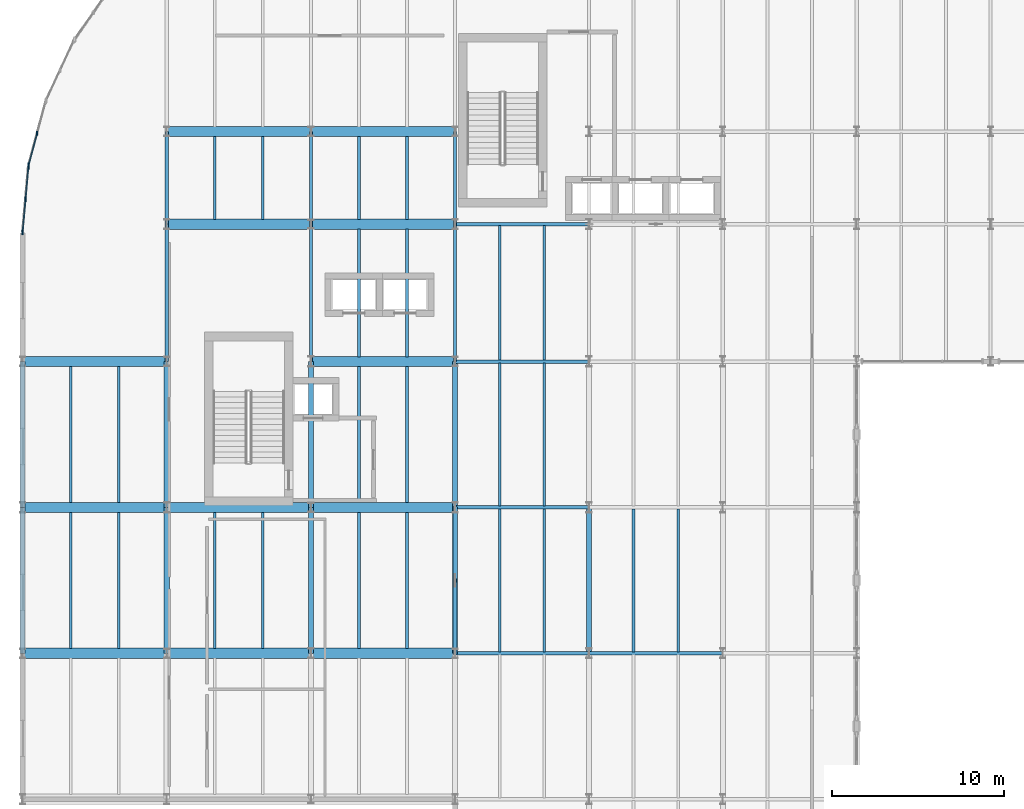
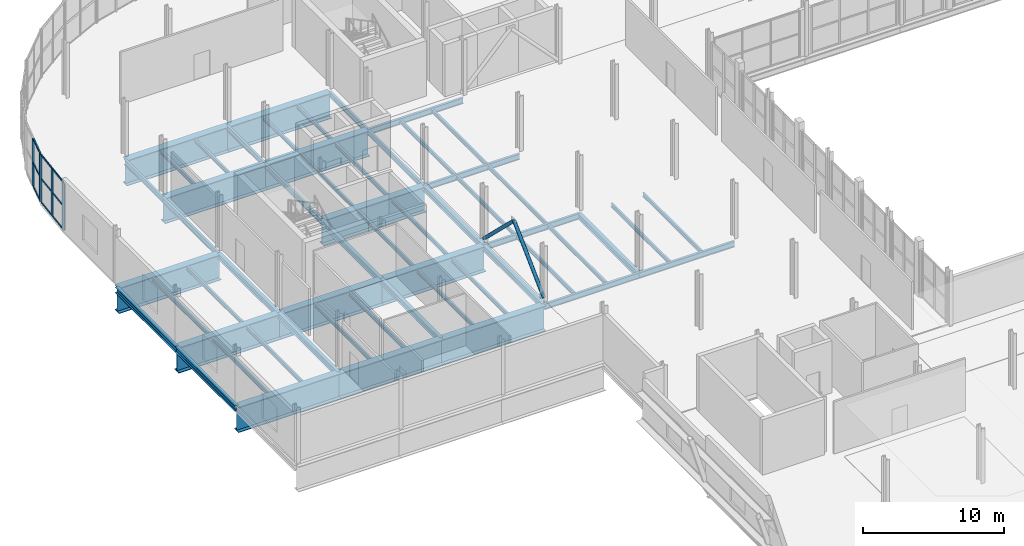
# One storey, part 23 of 63: 56 beams, 16 members, 2 elements without a shape of their own.
"""IFC4 building model written with IfcOpenShell, lengths in metres."""

from ifc_helpers import new_model, si_unit, direction, frame, origin, origin_2d, place, context, subcontext, project, spatial, rectangle, hollow_circle, i_section, extrude, material, layer, layer_set, material_profile, profile_set, type_object, element, aggregate, save


model = new_model("IFC4")

# Units and contexts
model_context = context("Model", 3, precision=1e-05, world=origin(), true_north=direction((0.0, 1.0)))
body_context = subcontext(model_context, "Body", "Model", "MODEL_VIEW")
ifc_project = project(units=[si_unit("LENGTHUNIT", "METRE"), si_unit("AREAUNIT", "SQUARE_METRE"), si_unit("VOLUMEUNIT", "CUBIC_METRE"), si_unit("PLANEANGLEUNIT", "RADIAN"), si_unit("MASSUNIT", "GRAM", prefix="KILO")], contexts=[model_context])

# Site, building, storey
site_placement = place(None, origin())
site = spatial("IfcSite", under=ifc_project, at=site_placement, CompositionType="ELEMENT")
building_placement = place(site_placement, origin())
building = spatial("IfcBuilding", under=site, at=building_placement, Name="Sefraquen Railside Congress Hotel", CompositionType="ELEMENT")
storey_placement = place(building_placement, frame((0.0, 0.0, 11.39990234375)))
storey = spatial("IfcBuildingStorey", under=building, at=storey_placement, Name="L02", CompositionType="ELEMENT", Elevation=11.39990234375)

# Beams
ifc_material_1 = material(Name="Steel S355JR", Category="steel")
ifc_material_profile_1 = material_profile(ifc_material_1, i_section(OverallWidth=0.18994140625, OverallDepth=0.449951171875, WebThickness=0.009521484375, FlangeThickness=0.0146484375, FilletRadius=0.02099609375, at=origin_2d()), Name="IPE 450")
ifc_profile_set_1 = profile_set([ifc_material_profile_1], Name="Steel S355JR")
beam_type_1 = type_object("IfcBeamType", Name="TB-BM-450", PredefinedType="BEAM", material=ifc_profile_set_1)
beam_1_placement = place(storey_placement, frame((8.39990234375, 88.0, -0.574951171875), z_axis=(0.0, 1.0, 0.0), x_axis=(-1.0, 0.0, 0.0)))
element("IfcBeam", 1, at=beam_1_placement, inside=storey, type_object=beam_type_1, Name="Floor beam BM-L02-0839", PredefinedType="BEAM", context=body_context, shape_type="SweptSolid", body=[
    extrude(i_section(OverallWidth=0.18994140625, OverallDepth=0.449951171875, WebThickness=0.009521484375, FlangeThickness=0.0146484375, FilletRadius=0.02099609375, at=origin_2d()), origin(), (0.0, 0.0, 1.0), 8.0),
])
beam_2_placement = place(storey_placement, frame((8.39990234375, 96.0, -0.574951171875), z_axis=(0.0, 1.0, 0.0), x_axis=(-1.0, 0.0, 0.0)))
element("IfcBeam", 2, at=beam_2_placement, inside=storey, type_object=beam_type_1, Name="Floor beam BM-L02-0840", PredefinedType="BEAM", context=body_context, shape_type="SweptSolid", body=[
    extrude(i_section(OverallWidth=0.18994140625, OverallDepth=0.449951171875, WebThickness=0.009521484375, FlangeThickness=0.0146484375, FilletRadius=0.02099609375, at=origin_2d()), origin(), (0.0, 0.0, 1.0), 5.39990234375),
])
beam_3_placement = place(storey_placement, frame((16.800048828125, 88.0, -0.574951171875), z_axis=(0.0, 1.0, 0.0), x_axis=(-1.0, 0.0, 0.0)))
element("IfcBeam", 3, at=beam_3_placement, inside=storey, type_object=beam_type_1, Name="Floor beam BM-L02-0845", PredefinedType="BEAM", context=body_context, shape_type="SweptSolid", body=[
    extrude(i_section(OverallWidth=0.18994140625, OverallDepth=0.449951171875, WebThickness=0.009521484375, FlangeThickness=0.0146484375, FilletRadius=0.02099609375, at=origin_2d()), origin(), (0.0, 0.0, 1.0), 8.0),
])
beam_4_placement = place(storey_placement, frame((16.800048828125, 96.0, -0.574951171875), z_axis=(0.0, 1.0, 0.0), x_axis=(-1.0, 0.0, 0.0)))
element("IfcBeam", 4, at=beam_4_placement, inside=storey, type_object=beam_type_1, Name="Floor beam BM-L02-0846", PredefinedType="BEAM", context=body_context, shape_type="SweptSolid", body=[
    extrude(i_section(OverallWidth=0.18994140625, OverallDepth=0.449951171875, WebThickness=0.009521484375, FlangeThickness=0.0146484375, FilletRadius=0.02099609375, at=origin_2d()), origin(), (0.0, 0.0, 1.0), 5.39990234375),
])
beam_5_placement = place(storey_placement, frame((25.199951171875, 88.0, -0.574951171875), z_axis=(0.0, 1.0, 0.0), x_axis=(-1.0, 0.0, 0.0)))
element("IfcBeam", 5, at=beam_5_placement, inside=storey, type_object=beam_type_1, Name="Floor beam BM-L02-0852", PredefinedType="BEAM", context=body_context, shape_type="SweptSolid", body=[
    extrude(i_section(OverallWidth=0.18994140625, OverallDepth=0.449951171875, WebThickness=0.009521484375, FlangeThickness=0.0146484375, FilletRadius=0.02099609375, at=origin_2d()), origin(), (0.0, 0.0, 1.0), 8.0),
])
beam_6_placement = place(storey_placement, frame((25.199951171875, 96.0, -0.574951171875), z_axis=(0.0, 1.0, 0.0), x_axis=(-1.0, 0.0, 0.0)))
element("IfcBeam", 6, at=beam_6_placement, inside=storey, type_object=beam_type_1, Name="Floor beam BM-L02-0853", PredefinedType="BEAM", context=body_context, shape_type="SweptSolid", body=[
    extrude(i_section(OverallWidth=0.18994140625, OverallDepth=0.449951171875, WebThickness=0.009521484375, FlangeThickness=0.0146484375, FilletRadius=0.02099609375, at=origin_2d()), origin(), (0.0, 0.0, 1.0), 5.39990234375),
])
ifc_material_profile_2 = material_profile(ifc_material_1, i_section(OverallWidth=0.199951171875, OverallDepth=0.5, WebThickness=0.01025390625, FlangeThickness=0.01611328125, FilletRadius=0.02099609375, at=origin_2d()), Name="IPE 500")
ifc_profile_set_2 = profile_set([ifc_material_profile_2], Name="Steel S355JR")
beam_type_2 = type_object("IfcBeamType", Name="TB-BM-500", PredefinedType="BEAM", material=ifc_profile_set_2)
for number, where, z_axis, x_axis, name in (
    (7, (25.199951171875, 71.0, -0.599853515625), (1.0, 0.0, 0.0), (0.0, 1.0, 0.0), "Primary girder BM-L02-0745"),
    (8, (33.0, 71.0, -0.599853515625), (1.0, 0.0, 0.0), (0.0, 1.0, 0.0), "Primary girder BM-L02-0746"),
    (9, (25.199951171875, 79.5, -0.599853515625), (1.0, 0.0, 0.0), (0.0, 1.0, 0.0), "Primary girder BM-L02-0753"),
    (10, (25.199951171875, 88.0, -0.599853515625), (1.0, 0.0, 0.0), (0.0, 1.0, 0.0), "Primary girder BM-L02-0761"),
    (11, (25.199951171875, 96.0, -0.599853515625), (1.0, 0.0, 0.0), (0.0, 1.0, 0.0), "Primary girder BM-L02-0777"),
):
    element("IfcBeam", number, at=place(storey_placement, frame(where, z_axis=z_axis, x_axis=x_axis)), inside=storey, type_object=beam_type_2, Name=name, PredefinedType="BEAM", context=body_context, shape_type="SweptSolid", body=[
        extrude(i_section(OverallWidth=0.199951171875, OverallDepth=0.5, WebThickness=0.01025390625, FlangeThickness=0.01611328125, FilletRadius=0.02099609375, at=origin_2d()), origin(), (0.0, 0.0, 1.0), 7.800048828125),
    ])
ifc_material_profile_3 = material_profile(ifc_material_1, i_section(OverallWidth=0.300048828125, OverallDepth=0.489990234375, WebThickness=0.011962890625, FlangeThickness=0.02294921875, FilletRadius=0.027099609375, at=origin_2d()), Name="HEA 500")
ifc_profile_set_3 = profile_set([ifc_material_profile_3], Name="Steel S355JR")
beam_type_3 = type_object("IfcBeamType", Name="TB-GIR-500", PredefinedType="T_BEAM", material=ifc_profile_set_3)
for number, where, z_axis, x_axis, name in (
    (12, (0.0, 71.0, -0.594970703125), (0.0, 1.0, 0.0), (-1.0, 0.0, 0.0), "Floor beam BM-L02-0834"),
    (13, (0.0, 79.5, -0.594970703125), (0.0, 1.0, 0.0), (-1.0, 0.0, 0.0), "Floor beam BM-L02-0835"),
    (14, (8.39990234375, 71.0, -0.594970703125), (0.0, 1.0, 0.0), (-1.0, 0.0, 0.0), "Floor beam BM-L02-0837"),
    (15, (8.39990234375, 79.5, -0.594970703125), (0.0, 1.0, 0.0), (-1.0, 0.0, 0.0), "Floor beam BM-L02-0838"),
    (16, (16.800048828125, 71.0, -0.594970703125), (0.0, 1.0, 0.0), (-1.0, 0.0, 0.0), "Floor beam BM-L02-0843"),
    (17, (16.800048828125, 79.5, -0.594970703125), (0.0, 1.0, 0.0), (-1.0, 0.0, 0.0), "Floor beam BM-L02-0844"),
    (18, (25.199951171875, 71.0, -0.594970703125), (0.0, 1.0, 0.0), (-1.0, 0.0, 0.0), "Floor beam BM-L02-0850"),
    (19, (25.199951171875, 79.5, -0.594970703125), (0.0, 1.0, 0.0), (-1.0, 0.0, 0.0), "Floor beam BM-L02-0851"),
    (20, (33.0, 71.0, -0.594970703125), (0.0, 1.0, 0.0), (-1.0, 0.0, 0.0), "Floor beam BM-L02-0862"),
):
    element("IfcBeam", number, at=place(storey_placement, frame(where, z_axis=z_axis, x_axis=x_axis)), inside=storey, type_object=beam_type_3, Name=name, PredefinedType="T_BEAM", context=body_context, shape_type="SweptSolid", body=[
        extrude(i_section(OverallWidth=0.300048828125, OverallDepth=0.489990234375, WebThickness=0.011962890625, FlangeThickness=0.02294921875, FilletRadius=0.027099609375, at=origin_2d()), origin(), (0.0, 0.0, 1.0), 8.5),
    ])
ifc_material_profile_4 = material_profile(ifc_material_1, i_section(OverallWidth=0.159912109375, OverallDepth=0.330078125, WebThickness=0.007568359375, FlangeThickness=0.011474609375, FilletRadius=0.01806640625, at=origin_2d()), Name="IPE 330")
ifc_profile_set_4 = profile_set([ifc_material_profile_4], Name="Steel S355JR")
beam_type_4 = type_object("IfcBeamType", Name="TB-JST-330", PredefinedType="JOIST", material=ifc_profile_set_4)
for number, where, z_axis, x_axis, name in (
    (21, (2.800048828125, 71.280029296875, -0.514892578125), (0.0, 1.0, 0.0), (-1.0, 0.0, 0.0), "Composite floor joist BM-L02-J0424"),
    (22, (5.60009765625, 71.280029296875, -0.514892578125), (0.0, 1.0, 0.0), (-1.0, 0.0, 0.0), "Composite floor joist BM-L02-J0425"),
    (23, (2.800048828125, 79.780029296875, -0.514892578125), (0.0, 1.0, 0.0), (-1.0, 0.0, 0.0), "Composite floor joist BM-L02-J0426"),
    (24, (5.60009765625, 79.780029296875, -0.514892578125), (0.0, 1.0, 0.0), (-1.0, 0.0, 0.0), "Composite floor joist BM-L02-J0427"),
    (25, (11.199951171875, 71.280029296875, -0.514892578125), (0.0, 1.0, 0.0), (-1.0, 0.0, 0.0), "Composite floor joist BM-L02-J0430"),
    (26, (14.0, 71.280029296875, -0.514892578125), (0.0, 1.0, 0.0), (-1.0, 0.0, 0.0), "Composite floor joist BM-L02-J0431"),
):
    element("IfcBeam", number, at=place(storey_placement, frame(where, z_axis=z_axis, x_axis=x_axis)), inside=storey, type_object=beam_type_4, Name=name, PredefinedType="JOIST", context=body_context, shape_type="SweptSolid", body=[
        extrude(i_section(OverallWidth=0.159912109375, OverallDepth=0.330078125, WebThickness=0.007568359375, FlangeThickness=0.011474609375, FilletRadius=0.01806640625, at=origin_2d()), origin(), (0.0, 0.0, 1.0), 7.93994140625),
    ])
for number, where, z_axis, x_axis, name in (
    (27, (11.199951171875, 96.280029296875, -0.514892578125), (0.0, 1.0, 0.0), (-1.0, 0.0, 0.0), "Composite floor joist BM-L02-J0432"),
    (28, (14.0, 96.280029296875, -0.514892578125), (0.0, 1.0, 0.0), (-1.0, 0.0, 0.0), "Composite floor joist BM-L02-J0433"),
):
    element("IfcBeam", number, at=place(storey_placement, frame(where, z_axis=z_axis, x_axis=x_axis)), inside=storey, type_object=beam_type_4, Name=name, PredefinedType="JOIST", context=body_context, shape_type="SweptSolid", body=[
        extrude(i_section(OverallWidth=0.159912109375, OverallDepth=0.330078125, WebThickness=0.007568359375, FlangeThickness=0.011474609375, FilletRadius=0.01806640625, at=origin_2d()), origin(), (0.0, 0.0, 1.0), 4.840087890625),
    ])
for number, where, z_axis, x_axis, name in (
    (29, (19.60009765625, 71.280029296875, -0.514892578125), (0.0, 1.0, 0.0), (-1.0, 0.0, 0.0), "Composite floor joist BM-L02-J0438"),
    (30, (22.39990234375, 71.280029296875, -0.514892578125), (0.0, 1.0, 0.0), (-1.0, 0.0, 0.0), "Composite floor joist BM-L02-J0439"),
    (31, (19.60009765625, 79.780029296875, -0.514892578125), (0.0, 1.0, 0.0), (-1.0, 0.0, 0.0), "Composite floor joist BM-L02-J0440"),
    (32, (22.39990234375, 79.780029296875, -0.514892578125), (0.0, 1.0, 0.0), (-1.0, 0.0, 0.0), "Composite floor joist BM-L02-J0441"),
):
    element("IfcBeam", number, at=place(storey_placement, frame(where, z_axis=z_axis, x_axis=x_axis)), inside=storey, type_object=beam_type_4, Name=name, PredefinedType="JOIST", context=body_context, shape_type="SweptSolid", body=[
        extrude(i_section(OverallWidth=0.159912109375, OverallDepth=0.330078125, WebThickness=0.007568359375, FlangeThickness=0.011474609375, FilletRadius=0.01806640625, at=origin_2d()), origin(), (0.0, 0.0, 1.0), 7.93994140625),
    ])
for number, where, z_axis, x_axis, name in (
    (33, (19.60009765625, 88.280029296875, -0.514892578125), (0.0, 1.0, 0.0), (-1.0, 0.0, 0.0), "Composite floor joist BM-L02-J0442"),
    (34, (22.39990234375, 88.280029296875, -0.514892578125), (0.0, 1.0, 0.0), (-1.0, 0.0, 0.0), "Composite floor joist BM-L02-J0443"),
):
    element("IfcBeam", number, at=place(storey_placement, frame(where, z_axis=z_axis, x_axis=x_axis)), inside=storey, type_object=beam_type_4, Name=name, PredefinedType="JOIST", context=body_context, shape_type="SweptSolid", body=[
        extrude(i_section(OverallWidth=0.159912109375, OverallDepth=0.330078125, WebThickness=0.007568359375, FlangeThickness=0.011474609375, FilletRadius=0.01806640625, at=origin_2d()), origin(), (0.0, 0.0, 1.0), 7.43994140625),
    ])
for number, where, z_axis, x_axis, name in (
    (35, (19.60009765625, 96.280029296875, -0.514892578125), (0.0, 1.0, 0.0), (-1.0, 0.0, 0.0), "Composite floor joist BM-L02-J0444"),
    (36, (22.39990234375, 96.280029296875, -0.514892578125), (0.0, 1.0, 0.0), (-1.0, 0.0, 0.0), "Composite floor joist BM-L02-J0445"),
):
    element("IfcBeam", number, at=place(storey_placement, frame(where, z_axis=z_axis, x_axis=x_axis)), inside=storey, type_object=beam_type_4, Name=name, PredefinedType="JOIST", context=body_context, shape_type="SweptSolid", body=[
        extrude(i_section(OverallWidth=0.159912109375, OverallDepth=0.330078125, WebThickness=0.007568359375, FlangeThickness=0.011474609375, FilletRadius=0.01806640625, at=origin_2d()), origin(), (0.0, 0.0, 1.0), 4.840087890625),
    ])
for number, where, z_axis, x_axis, name in (
    (37, (27.800048828125, 71.080078125, -0.514892578125), (0.0, 1.0, 0.0), (-1.0, 0.0, 0.0), "Composite floor joist BM-L02-J0450"),
    (38, (30.39990234375, 71.080078125, -0.514892578125), (0.0, 1.0, 0.0), (-1.0, 0.0, 0.0), "Composite floor joist BM-L02-J0451"),
    (39, (27.800048828125, 79.580078125, -0.514892578125), (0.0, 1.0, 0.0), (-1.0, 0.0, 0.0), "Composite floor joist BM-L02-J0452"),
    (40, (30.39990234375, 79.580078125, -0.514892578125), (0.0, 1.0, 0.0), (-1.0, 0.0, 0.0), "Composite floor joist BM-L02-J0453"),
):
    element("IfcBeam", number, at=place(storey_placement, frame(where, z_axis=z_axis, x_axis=x_axis)), inside=storey, type_object=beam_type_4, Name=name, PredefinedType="JOIST", context=body_context, shape_type="SweptSolid", body=[
        extrude(i_section(OverallWidth=0.159912109375, OverallDepth=0.330078125, WebThickness=0.007568359375, FlangeThickness=0.011474609375, FilletRadius=0.01806640625, at=origin_2d()), origin(), (0.0, 0.0, 1.0), 8.33984375),
    ])
for number, where, z_axis, x_axis, name in (
    (41, (27.800048828125, 88.080078125, -0.514892578125), (0.0, 1.0, 0.0), (-1.0, 0.0, 0.0), "Composite floor joist BM-L02-J0454"),
    (42, (30.39990234375, 88.080078125, -0.514892578125), (0.0, 1.0, 0.0), (-1.0, 0.0, 0.0), "Composite floor joist BM-L02-J0455"),
):
    element("IfcBeam", number, at=place(storey_placement, frame(where, z_axis=z_axis, x_axis=x_axis)), inside=storey, type_object=beam_type_4, Name=name, PredefinedType="JOIST", context=body_context, shape_type="SweptSolid", body=[
        extrude(i_section(OverallWidth=0.159912109375, OverallDepth=0.330078125, WebThickness=0.007568359375, FlangeThickness=0.011474609375, FilletRadius=0.01806640625, at=origin_2d()), origin(), (0.0, 0.0, 1.0), 7.83984375),
    ])
for number, where, z_axis, x_axis, name in (
    (43, (35.60009765625, 71.080078125, -0.514892578125), (0.0, 1.0, 0.0), (-1.0, 0.0, 0.0), "Composite floor joist BM-L02-J0470"),
    (44, (38.199951171875, 71.080078125, -0.514892578125), (0.0, 1.0, 0.0), (-1.0, 0.0, 0.0), "Composite floor joist BM-L02-J0471"),
):
    element("IfcBeam", number, at=place(storey_placement, frame(where, z_axis=z_axis, x_axis=x_axis)), inside=storey, type_object=beam_type_4, Name=name, PredefinedType="JOIST", context=body_context, shape_type="SweptSolid", body=[
        extrude(i_section(OverallWidth=0.159912109375, OverallDepth=0.330078125, WebThickness=0.007568359375, FlangeThickness=0.011474609375, FilletRadius=0.01806640625, at=origin_2d()), origin(), (0.0, 0.0, 1.0), 8.33984375),
    ])
ifc_material_2 = material(Name="Steel S355J2", Category="steel")
ifc_material_profile_5 = material_profile(ifc_material_2, i_section(OverallWidth=0.60009765625, OverallDepth=2.199951171875, WebThickness=0.028076171875, FlangeThickness=0.050048828125, at=origin_2d()), Name="WG 2200x600")
ifc_profile_set_5 = profile_set([ifc_material_profile_5], Name="Steel S355J2")
beam_type_5 = type_object("IfcBeamType", Name="TB-TG-2200", PredefinedType="USERDEFINED", material=ifc_profile_set_5)
beam_7_placement = place(storey_placement, frame((0.0, 71.0, -1.449951171875), z_axis=(1.0, 0.0, 0.0), x_axis=(0.0, 1.0, 0.0)))
element("IfcBeam", 45, at=beam_7_placement, inside=storey, type_object=beam_type_5, Name="Transfer girder BM-L02-0742", ObjectType="TRANSFER GIRDER", PredefinedType="USERDEFINED", context=body_context, shape_type="SweptSolid", body=[
    extrude(i_section(OverallWidth=0.60009765625, OverallDepth=2.199951171875, WebThickness=0.028076171875, FlangeThickness=0.050048828125, at=origin_2d()), origin(), (0.0, 0.0, 1.0), 8.39990234375),
])
beam_8_placement = place(storey_placement, frame((8.39990234375, 71.0, -1.449951171875), z_axis=(1.0, 0.0, 0.0), x_axis=(0.0, 1.0, 0.0)))
element("IfcBeam", 46, at=beam_8_placement, inside=storey, type_object=beam_type_5, Name="Transfer girder BM-L02-0743", ObjectType="TRANSFER GIRDER", PredefinedType="USERDEFINED", context=body_context, shape_type="SweptSolid", body=[
    extrude(i_section(OverallWidth=0.60009765625, OverallDepth=2.199951171875, WebThickness=0.028076171875, FlangeThickness=0.050048828125, at=origin_2d()), origin(), (0.0, 0.0, 1.0), 8.400146484375),
])
for number, where, z_axis, x_axis, name in (
    (47, (16.800048828125, 71.0, -1.449951171875), (1.0, 0.0, 0.0), (0.0, 1.0, 0.0), "Transfer girder BM-L02-0744"),
    (48, (0.0, 79.5, -1.449951171875), (1.0, 0.0, 0.0), (0.0, 1.0, 0.0), "Transfer girder BM-L02-0750"),
):
    element("IfcBeam", number, at=place(storey_placement, frame(where, z_axis=z_axis, x_axis=x_axis)), inside=storey, type_object=beam_type_5, Name=name, ObjectType="TRANSFER GIRDER", PredefinedType="USERDEFINED", context=body_context, shape_type="SweptSolid", body=[
        extrude(i_section(OverallWidth=0.60009765625, OverallDepth=2.199951171875, WebThickness=0.028076171875, FlangeThickness=0.050048828125, at=origin_2d()), origin(), (0.0, 0.0, 1.0), 8.39990234375),
    ])
beam_9_placement = place(storey_placement, frame((8.39990234375, 79.5, -1.449951171875), z_axis=(1.0, 0.0, 0.0), x_axis=(0.0, 1.0, 0.0)))
element("IfcBeam", 49, at=beam_9_placement, inside=storey, type_object=beam_type_5, Name="Transfer girder BM-L02-0751", ObjectType="TRANSFER GIRDER", PredefinedType="USERDEFINED", context=body_context, shape_type="SweptSolid", body=[
    extrude(i_section(OverallWidth=0.60009765625, OverallDepth=2.199951171875, WebThickness=0.028076171875, FlangeThickness=0.050048828125, at=origin_2d()), origin(), (0.0, 0.0, 1.0), 8.400146484375),
])
for number, where, z_axis, x_axis, name in (
    (50, (16.800048828125, 79.5, -1.449951171875), (1.0, 0.0, 0.0), (0.0, 1.0, 0.0), "Transfer girder BM-L02-0752"),
    (51, (0.0, 88.0, -1.449951171875), (1.0, 0.0, 0.0), (0.0, 1.0, 0.0), "Transfer girder BM-L02-0759"),
    (52, (16.800048828125, 88.0, -1.449951171875), (1.0, 0.0, 0.0), (0.0, 1.0, 0.0), "Transfer girder BM-L02-0760"),
):
    element("IfcBeam", number, at=place(storey_placement, frame(where, z_axis=z_axis, x_axis=x_axis)), inside=storey, type_object=beam_type_5, Name=name, ObjectType="TRANSFER GIRDER", PredefinedType="USERDEFINED", context=body_context, shape_type="SweptSolid", body=[
        extrude(i_section(OverallWidth=0.60009765625, OverallDepth=2.199951171875, WebThickness=0.028076171875, FlangeThickness=0.050048828125, at=origin_2d()), origin(), (0.0, 0.0, 1.0), 8.39990234375),
    ])
beam_10_placement = place(storey_placement, frame((8.39990234375, 96.0, -1.449951171875), z_axis=(1.0, 0.0, 0.0), x_axis=(0.0, 1.0, 0.0)))
element("IfcBeam", 53, at=beam_10_placement, inside=storey, type_object=beam_type_5, Name="Transfer girder BM-L02-0775", ObjectType="TRANSFER GIRDER", PredefinedType="USERDEFINED", context=body_context, shape_type="SweptSolid", body=[
    extrude(i_section(OverallWidth=0.60009765625, OverallDepth=2.199951171875, WebThickness=0.028076171875, FlangeThickness=0.050048828125, at=origin_2d()), origin(), (0.0, 0.0, 1.0), 8.400146484375),
])
beam_11_placement = place(storey_placement, frame((16.800048828125, 96.0, -1.449951171875), z_axis=(1.0, 0.0, 0.0), x_axis=(0.0, 1.0, 0.0)))
element("IfcBeam", 54, at=beam_11_placement, inside=storey, type_object=beam_type_5, Name="Transfer girder BM-L02-0776", ObjectType="TRANSFER GIRDER", PredefinedType="USERDEFINED", context=body_context, shape_type="SweptSolid", body=[
    extrude(i_section(OverallWidth=0.60009765625, OverallDepth=2.199951171875, WebThickness=0.028076171875, FlangeThickness=0.050048828125, at=origin_2d()), origin(), (0.0, 0.0, 1.0), 8.39990234375),
])
beam_12_placement = place(storey_placement, frame((8.39990234375, 101.39990234375, -1.449951171875), z_axis=(1.0, 0.0, 0.0), x_axis=(0.0, 1.0, 0.0)))
element("IfcBeam", 55, at=beam_12_placement, inside=storey, type_object=beam_type_5, Name="Transfer girder BM-L02-0795", ObjectType="TRANSFER GIRDER", PredefinedType="USERDEFINED", context=body_context, shape_type="SweptSolid", body=[
    extrude(i_section(OverallWidth=0.60009765625, OverallDepth=2.199951171875, WebThickness=0.028076171875, FlangeThickness=0.050048828125, at=origin_2d()), origin(), (0.0, 0.0, 1.0), 8.400146484375),
])
beam_13_placement = place(storey_placement, frame((16.800048828125, 101.39990234375, -1.449951171875), z_axis=(1.0, 0.0, 0.0), x_axis=(0.0, 1.0, 0.0)))
element("IfcBeam", 56, at=beam_13_placement, inside=storey, type_object=beam_type_5, Name="Transfer girder BM-L02-0796", ObjectType="TRANSFER GIRDER", PredefinedType="USERDEFINED", context=body_context, shape_type="SweptSolid", body=[
    extrude(i_section(OverallWidth=0.60009765625, OverallDepth=2.199951171875, WebThickness=0.028076171875, FlangeThickness=0.050048828125, at=origin_2d()), origin(), (0.0, 0.0, 1.0), 8.39990234375),
])

# Members
ifc_material_profile_6 = material_profile(ifc_material_2, hollow_circle(Radius=0.136474609375, WallThickness=0.012451171875, at=origin_2d()), Name="CHS 273x12.5")
ifc_profile_set_6 = profile_set([ifc_material_profile_6], Name="Steel S355J2")
member_type_1 = type_object("IfcMemberType", Name="TM-BR-273", PredefinedType="BRACE", material=ifc_profile_set_6)
for number, where, z_axis, x_axis, name in (
    (57, (25.199951171875, 71.0, 0.150146484375), (0.0, 0.718013444965, 0.696029232755), (-1.0, 0.0, 0.0), "Chevron braced-frame diagonal BF2-L L02"),
    (58, (25.199951171875, 79.5, 0.150146484375), (0.0, -0.718013444965, 0.696029232755), (1.0, 0.0, 0.0), "Chevron braced-frame diagonal BF2-R L02"),
):
    element("IfcMember", number, at=place(storey_placement, frame(where, z_axis=z_axis, x_axis=x_axis)), inside=storey, type_object=member_type_1, Name=name, PredefinedType="BRACE", context=body_context, shape_type="SweptSolid", body=[
        extrude(hollow_circle(Radius=0.136474609375, WallThickness=0.012451171875, at=origin_2d()), origin(), (0.0, 0.0, 1.0), 5.919189453125),
    ])

# Curtain wall, member
ifc_material_3 = material(Name="Thermally broken anodised aluminium and low-E double glazing", Category="aluminium")
ifc_layer_1 = layer(ifc_material_3, 0.199951171875)
ifc_layer_set_1 = layer_set([ifc_layer_1], Name="Thermally broken anodised aluminium and low-E double glazing")
curtain_wall_type_1 = type_object("IfcCurtainWallType", Name="TCW-UCW-26", PredefinedType="USERDEFINED", material=ifc_layer_set_1)
curtain_wall_1_placement = place(storey_placement, origin())
curtain_wall_1 = element("IfcCurtainWall", 59, at=curtain_wall_1_placement, inside=storey, type_object=curtain_wall_type_1, Name="Rotunda L02 curved curtain wall facet 8", ObjectType="UNITISED CURTAIN WALL", PredefinedType="USERDEFINED")
ifc_material_4 = material(Name="Thermally broken anodised aluminium 6063-T6", Category="aluminium")
ifc_material_profile_7 = material_profile(ifc_material_4, rectangle(XDim=0.0849609375, YDim=0.260009765625, at=origin_2d()), Name="CWM 85x260")
ifc_profile_set_7 = profile_set([ifc_material_profile_7], Name="Thermally broken anodised aluminium 6063-T6")
member_type_2 = type_object("IfcMemberType", Name="TM-CWM-06", PredefinedType="MULLION", material=ifc_profile_set_7)
member_1_placement = place(storey_placement, frame((0.849365234375, 101.30126953125, 0.0), z_axis=(0.0, 0.0, 1.0), x_axis=(1.0, 0.0, 0.0)))
member_1 = element("IfcMember", 60, at=member_1_placement, type_object=member_type_2, Name="CW-L02-ROT-08 mullion 2", PredefinedType="MULLION", context=body_context, shape_type="SweptSolid", body=[
    extrude(rectangle(XDim=0.0849609375, YDim=0.260009765625, at=origin_2d()), origin(), (0.0, 0.0, 1.0), 4.070068359375),
])

ifc_layer_2 = layer(ifc_material_3, 0.199951171875)
ifc_layer_set_2 = layer_set([ifc_layer_2], Name="Thermally broken anodised aluminium and low-E double glazing")
curtain_wall_type_2 = type_object("IfcCurtainWallType", Name="TCW-UCW-27", PredefinedType="USERDEFINED", material=ifc_layer_set_2)
curtain_wall_2_placement = place(storey_placement, origin())
curtain_wall_2 = element("IfcCurtainWall", 61, at=curtain_wall_2_placement, inside=storey, type_object=curtain_wall_type_2, Name="Rotunda L02 curved curtain wall facet 9", ObjectType="UNITISED CURTAIN WALL", PredefinedType="USERDEFINED")
ifc_material_profile_8 = material_profile(ifc_material_4, rectangle(XDim=0.090087890625, YDim=0.280029296875, at=origin_2d()), Name="CWM 90x280")
ifc_profile_set_8 = profile_set([ifc_material_profile_8], Name="Thermally broken anodised aluminium 6063-T6")
member_type_3 = type_object("IfcMemberType", Name="TM-CWM-07", PredefinedType="MULLION", material=ifc_profile_set_8)
member_2_placement = place(storey_placement, frame((0.1708984375, 97.45361328125, 0.0), z_axis=(0.0, 0.0, 1.0), x_axis=(1.0, 0.0, 0.0)))
member_2 = element("IfcMember", 62, at=member_2_placement, type_object=member_type_3, Name="CW-L02-ROT-09 mullion 2", PredefinedType="MULLION", context=body_context, shape_type="SweptSolid", body=[
    extrude(rectangle(XDim=0.090087890625, YDim=0.280029296875, at=origin_2d()), origin(), (0.0, 0.0, 1.0), 4.070068359375),
])

# Member
ifc_material_profile_9 = material_profile(ifc_material_4, rectangle(XDim=0.094970703125, YDim=0.300048828125, at=origin_2d()), Name="CWM 95x300")
ifc_profile_set_9 = profile_set([ifc_material_profile_9], Name="Thermally broken anodised aluminium 6063-T6")
member_type_4 = type_object("IfcMemberType", Name="TM-CWM-08", PredefinedType="MULLION", material=ifc_profile_set_9)
member_3_placement = place(storey_placement, frame((0.352294921875, 99.44580078125, 0.0), z_axis=(0.0, 0.0, 1.0), x_axis=(1.0, 0.0, 0.0)))
member_3 = element("IfcMember", 63, at=member_3_placement, type_object=member_type_4, Name="CW-L02-ROT-08 mullion 3", PredefinedType="MULLION", context=body_context, shape_type="SweptSolid", body=[
    extrude(rectangle(XDim=0.094970703125, YDim=0.300048828125, at=origin_2d()), origin(), (0.0, 0.0, 1.0), 4.070068359375),
])

member_4_placement = place(storey_placement, frame((0.33837890625, 99.3671875, 0.0), z_axis=(0.0, 0.0, 1.0), x_axis=(1.0, 0.0, 0.0)))
member_4 = element("IfcMember", 64, at=member_4_placement, type_object=member_type_4, Name="CW-L02-ROT-09 mullion 1", PredefinedType="MULLION", context=body_context, shape_type="SweptSolid", body=[
    extrude(rectangle(XDim=0.094970703125, YDim=0.300048828125, at=origin_2d()), origin(), (0.0, 0.0, 1.0), 4.070068359375),
])

member_5_placement = place(storey_placement, frame((0.00341796875, 95.539794921875, 0.0), z_axis=(0.0, 0.0, 1.0), x_axis=(1.0, 0.0, 0.0)))
member_5 = element("IfcMember", 65, at=member_5_placement, type_object=member_type_4, Name="CW-L02-ROT-09 mullion 3", PredefinedType="MULLION", context=body_context, shape_type="SweptSolid", body=[
    extrude(rectangle(XDim=0.094970703125, YDim=0.300048828125, at=origin_2d()), origin(), (0.0, 0.0, 1.0), 4.070068359375),
])

ifc_material_profile_10 = material_profile(ifc_material_4, rectangle(XDim=0.06494140625, YDim=0.135009765625, at=origin_2d()), Name="CWT 65x135")
ifc_profile_set_10 = profile_set([ifc_material_profile_10], Name="Thermally broken anodised aluminium 6063-T6")
member_type_5 = type_object("IfcMemberType", Name="TM-CWT-02", PredefinedType="USERDEFINED", material=ifc_profile_set_10)
member_6_placement = place(storey_placement, frame((0.837646484375, 101.2578125, 0.0), z_axis=(-0.258816065499, -0.965926624666, 0.0), x_axis=(0.965926624666, -0.258816065499, 0.0)))
member_6 = element("IfcMember", 66, at=member_6_placement, type_object=member_type_5, Name="CW-L02-ROT-08 transom 1.2", ObjectType="TRANSOM", PredefinedType="USERDEFINED", context=body_context, shape_type="SweptSolid", body=[
    extrude(rectangle(XDim=0.06494140625, YDim=0.135009765625, at=origin_2d()), origin(), (0.0, 0.0, 1.0), 1.8310546875),
])

member_7_placement = place(storey_placement, frame((0.837646484375, 101.2578125, 2.03515625), z_axis=(-0.258816065499, -0.965926624666, 0.0), x_axis=(0.965926624666, -0.258816065499, 0.0)))
member_7 = element("IfcMember", 67, at=member_7_placement, type_object=member_type_5, Name="CW-L02-ROT-08 transom 2.2", ObjectType="TRANSOM", PredefinedType="USERDEFINED", context=body_context, shape_type="SweptSolid", body=[
    extrude(rectangle(XDim=0.06494140625, YDim=0.135009765625, at=origin_2d()), origin(), (0.0, 0.0, 1.0), 1.8310546875),
])

member_8_placement = place(storey_placement, frame((0.837646484375, 101.2578125, 4.070068359375), z_axis=(-0.258816065499, -0.965926624666, 0.0), x_axis=(0.965926624666, -0.258816065499, 0.0)))
member_8 = element("IfcMember", 68, at=member_8_placement, type_object=member_type_5, Name="CW-L02-ROT-08 transom 3.2", ObjectType="TRANSOM", PredefinedType="USERDEFINED", context=body_context, shape_type="SweptSolid", body=[
    extrude(rectangle(XDim=0.06494140625, YDim=0.135009765625, at=origin_2d()), origin(), (0.0, 0.0, 1.0), 1.8310546875),
])

aggregate(curtain_wall_1, [member_1, member_3, member_6, member_7, member_8])

ifc_material_profile_11 = material_profile(ifc_material_4, rectangle(XDim=0.070068359375, YDim=0.14990234375, at=origin_2d()), Name="CWT 70x150")
ifc_profile_set_11 = profile_set([ifc_material_profile_11], Name="Thermally broken anodised aluminium 6063-T6")
member_type_6 = type_object("IfcMemberType", Name="TM-CWT-03", PredefinedType="USERDEFINED", material=ifc_profile_set_11)
member_9_placement = place(storey_placement, frame((0.33447265625, 99.322509765625, 0.0), z_axis=(-0.087193412302, -0.996191401715, 0.0), x_axis=(0.996191401715, -0.087193412302, 0.0)))
member_9 = element("IfcMember", 69, at=member_9_placement, type_object=member_type_6, Name="CW-L02-ROT-09 transom 1.1", ObjectType="TRANSOM", PredefinedType="USERDEFINED", context=body_context, shape_type="SweptSolid", body=[
    extrude(rectangle(XDim=0.070068359375, YDim=0.14990234375, at=origin_2d()), origin(), (0.0, 0.0, 1.0), 1.831298828125),
])

member_10_placement = place(storey_placement, frame((0.1669921875, 97.40869140625, 0.0), z_axis=(-0.08720499447, -0.996190387898, 0.0), x_axis=(0.996190387898, -0.08720499447, 0.0)))
member_10 = element("IfcMember", 70, at=member_10_placement, type_object=member_type_6, Name="CW-L02-ROT-09 transom 1.2", ObjectType="TRANSOM", PredefinedType="USERDEFINED", context=body_context, shape_type="SweptSolid", body=[
    extrude(rectangle(XDim=0.070068359375, YDim=0.14990234375, at=origin_2d()), origin(), (0.0, 0.0, 1.0), 1.8310546875),
])

member_11_placement = place(storey_placement, frame((0.33447265625, 99.322509765625, 2.03515625), z_axis=(-0.087193412302, -0.996191401715, 0.0), x_axis=(0.996191401715, -0.087193412302, 0.0)))
member_11 = element("IfcMember", 71, at=member_11_placement, type_object=member_type_6, Name="CW-L02-ROT-09 transom 2.1", ObjectType="TRANSOM", PredefinedType="USERDEFINED", context=body_context, shape_type="SweptSolid", body=[
    extrude(rectangle(XDim=0.070068359375, YDim=0.14990234375, at=origin_2d()), origin(), (0.0, 0.0, 1.0), 1.831298828125),
])

member_12_placement = place(storey_placement, frame((0.1669921875, 97.40869140625, 2.03515625), z_axis=(-0.08720499447, -0.996190387898, 0.0), x_axis=(0.996190387898, -0.08720499447, 0.0)))
member_12 = element("IfcMember", 72, at=member_12_placement, type_object=member_type_6, Name="CW-L02-ROT-09 transom 2.2", ObjectType="TRANSOM", PredefinedType="USERDEFINED", context=body_context, shape_type="SweptSolid", body=[
    extrude(rectangle(XDim=0.070068359375, YDim=0.14990234375, at=origin_2d()), origin(), (0.0, 0.0, 1.0), 1.8310546875),
])

member_13_placement = place(storey_placement, frame((0.33447265625, 99.322509765625, 4.070068359375), z_axis=(-0.087193412302, -0.996191401715, 0.0), x_axis=(0.996191401715, -0.087193412302, 0.0)))
member_13 = element("IfcMember", 73, at=member_13_placement, type_object=member_type_6, Name="CW-L02-ROT-09 transom 3.1", ObjectType="TRANSOM", PredefinedType="USERDEFINED", context=body_context, shape_type="SweptSolid", body=[
    extrude(rectangle(XDim=0.070068359375, YDim=0.14990234375, at=origin_2d()), origin(), (0.0, 0.0, 1.0), 1.831298828125),
])

member_14_placement = place(storey_placement, frame((0.1669921875, 97.40869140625, 4.070068359375), z_axis=(-0.08720499447, -0.996190387898, 0.0), x_axis=(0.996190387898, -0.08720499447, 0.0)))
member_14 = element("IfcMember", 74, at=member_14_placement, type_object=member_type_6, Name="CW-L02-ROT-09 transom 3.2", ObjectType="TRANSOM", PredefinedType="USERDEFINED", context=body_context, shape_type="SweptSolid", body=[
    extrude(rectangle(XDim=0.070068359375, YDim=0.14990234375, at=origin_2d()), origin(), (0.0, 0.0, 1.0), 1.8310546875),
])

aggregate(curtain_wall_2, [member_4, member_2, member_5, member_9, member_10, member_11, member_12, member_13, member_14])

save(model, "model.ifc")
